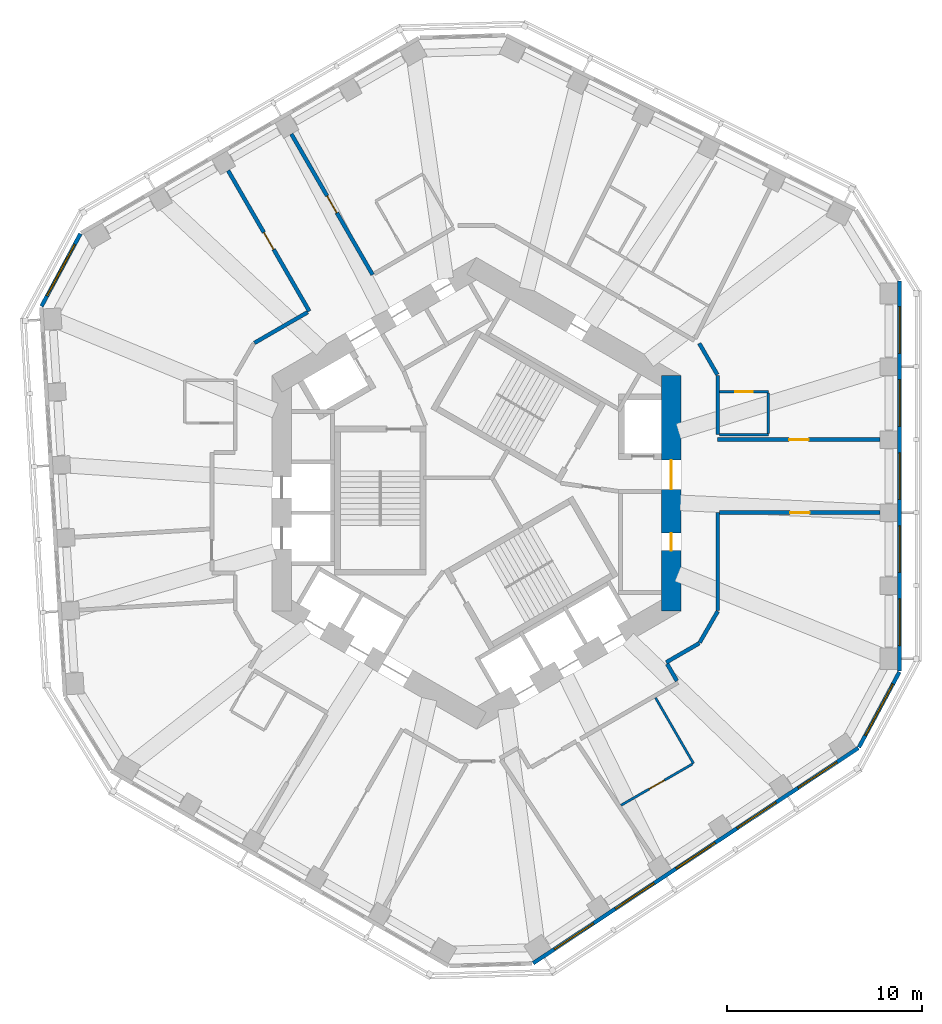
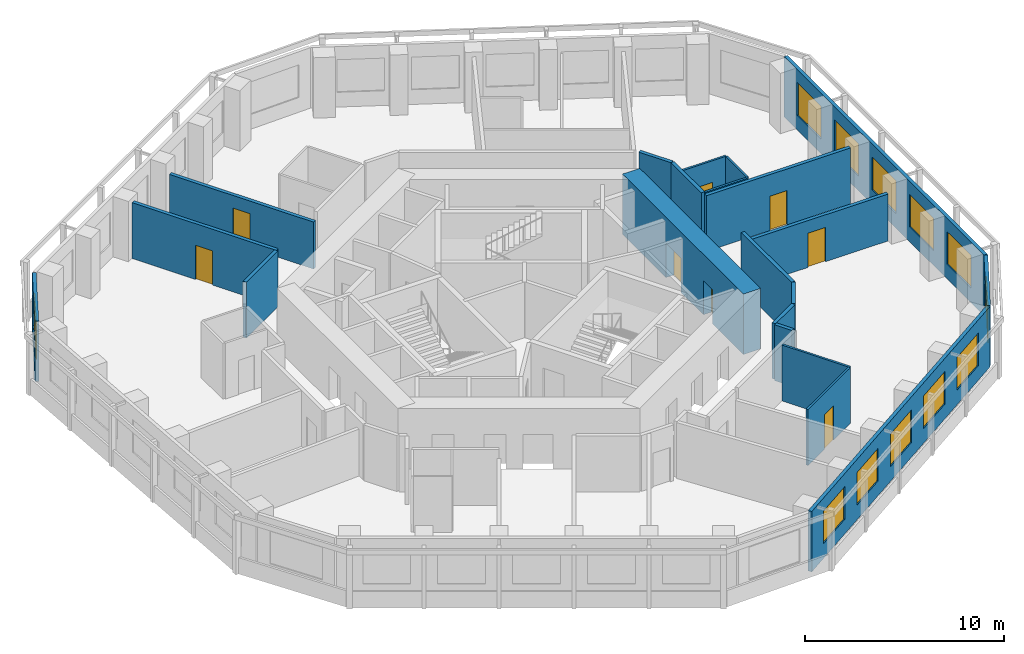
# One storey, part 6 of 11: 21 walls, 12 windows, 8 doors, 20 openings.
"""IFC4 building model written with IfcOpenShell, lengths in metres."""

from ifc_helpers import new_model, si_unit, direction, frame, frame_2d, origin, place, context, subcontext, project, spatial, rectangle, extrude, material, layer, layer_set, type_object, element, fill, save


model = new_model("IFC4")

# Units and contexts
model_context = context("Model", 3, precision=1e-05, world=origin(), true_north=direction((0.0, 1.0)))
body_context = subcontext(model_context, "Body", "Model", "MODEL_VIEW")
ifc_project = project(units=[si_unit("LENGTHUNIT", "METRE"), si_unit("AREAUNIT", "SQUARE_METRE"), si_unit("VOLUMEUNIT", "CUBIC_METRE"), si_unit("PLANEANGLEUNIT", "RADIAN"), si_unit("MASSUNIT", "GRAM", prefix="KILO")], contexts=[model_context])

# Site, building, storey
site_placement = place(None, origin())
site = spatial("IfcSite", under=ifc_project, at=site_placement, CompositionType="ELEMENT")
building_placement = place(site_placement, origin())
building = spatial("IfcBuilding", under=site, at=building_placement, Name="Vanh Sen Convention Tower", CompositionType="ELEMENT")
storey_placement = place(building_placement, frame((0.0, 0.0, 179.89990234375)))
storey = spatial("IfcBuildingStorey", under=building, at=storey_placement, Name="L44", CompositionType="ELEMENT", Elevation=179.89990234375)

# Wall
ifc_material_1 = material(Name="Moisture-resistant gypsum board on steel studs", Category="steel")
ifc_layer_1 = layer(ifc_material_1, 0.1201171875)
ifc_layer_set_1 = layer_set([ifc_layer_1], Name="Moisture-resistant gypsum board on steel studs")
wall_type_1 = type_object("IfcWallType", Name="Bathroom partition 120", PredefinedType="PARTITIONING", material=ifc_layer_set_1)
wall_1_placement = place(storey_placement, frame((9.201904296875, -10.5078125, 0.0), z_axis=(0.0, 0.0, 1.0), x_axis=(0.500043961785, -0.866000020948, 0.0)))
element("IfcWall", 1, at=wall_1_placement, inside=storey, type_object=wall_type_1, Name="Bathroom partition 120", PredefinedType="PARTITIONING", context=body_context, shape_type="SweptSolid", body=[
    extrude(rectangle(XDim=3.900146484375, YDim=0.1201171875, at=frame_2d((1.9501953125, 0.0))), origin(), (0.0, 0.0, 1.0), 3.420166015625),
])

# Wall, opening, door
wall_2_placement = place(storey_placement, frame((11.10009765625, -13.915283203125, 0.0), z_axis=(0.0, 0.0, 1.0), x_axis=(-0.866048475386, -0.499960036685, 0.0)))
wall_2 = element("IfcWall", 2, at=wall_2_placement, inside=storey, type_object=wall_type_1, Name="Bathroom partition 120", PredefinedType="PARTITIONING", context=body_context, shape_type="SweptSolid", body=[
    extrude(rectangle(XDim=4.239990234375, YDim=0.1201171875, at=frame_2d((2.1201171875, 0.0))), origin(), (0.0, 0.0, 1.0), 3.420166015625),
])
opening_1_placement = place(wall_2_placement, frame((1.669921875, 0.0, 0.0)))
opening_1 = element("IfcOpeningElement", 3, at=opening_1_placement, cuts=wall_2, Name="Opening D44118", PredefinedType="OPENING", context=body_context, shape_type="SweptSolid", body=[
    extrude(rectangle(XDim=0.89990234375, YDim=2.10009765625, at=frame_2d((0.449951171875, 1.050048828125))), frame((0.0, 0.070068359375, 0.0), z_axis=(0.0, -1.0, 0.0), x_axis=(1.0, 0.0, 0.0)), (0.0, 0.0, 1.0), 0.14013671875),
])
ifc_material_2 = material(Name="Laminate door in steel frame", Category="steel")
door_type_1 = type_object("IfcDoorType", Name="Room internal door 900", OperationType="SINGLE_SWING_LEFT", PredefinedType="DOOR", material=ifc_material_2)
door_1_placement = place(opening_1_placement, origin())
door_1 = element("IfcDoor", 4, at=door_1_placement, inside=storey, type_object=door_type_1, Name="Internal room door D44118", OperationType="SINGLE_SWING_LEFT", OverallHeight=2.10009765625, OverallWidth=0.89990234375, PredefinedType="DOOR", context=body_context, shape_type="SweptSolid", body=[
    extrude(rectangle(XDim=0.89990234375, YDim=2.10009765625, at=frame_2d((0.449951171875, 1.050048828125))), frame((0.0, 0.02490234375, 0.0), z_axis=(0.0, -1.0, 0.0), x_axis=(1.0, 0.0, 0.0)), (0.0, 0.0, 1.0), 0.050048828125),
])
fill(opening_1, door_1)

wall_3_placement = place(storey_placement, frame((12.5, 5.211181640625, 0.0), z_axis=(0.0, 0.0, 1.0), x_axis=(1.0, 0.0, 0.0)))
wall_3 = element("IfcWall", 5, at=wall_3_placement, inside=storey, type_object=wall_type_1, Name="Bathroom partition 120", PredefinedType="PARTITIONING", context=body_context, shape_type="SweptSolid", body=[
    extrude(rectangle(XDim=2.5, YDim=0.1201171875, at=frame_2d((1.25, 0.0))), origin(), (0.0, 0.0, 1.0), 3.420166015625),
])
opening_2_placement = place(wall_3_placement, frame((0.800048828125, 0.0, 0.0)))
opening_2 = element("IfcOpeningElement", 6, at=opening_2_placement, cuts=wall_3, Name="Opening D44102", PredefinedType="OPENING", context=body_context, shape_type="SweptSolid", body=[
    extrude(rectangle(XDim=0.89990234375, YDim=2.10009765625, at=frame_2d((0.449951171875, 1.050048828125))), frame((0.0, 0.070068359375, 0.0), z_axis=(0.0, -1.0, 0.0), x_axis=(1.0, 0.0, 0.0)), (0.0, 0.0, 1.0), 0.14013671875),
])
door_2_placement = place(opening_2_placement, origin())
door_2 = element("IfcDoor", 7, at=door_2_placement, inside=storey, type_object=door_type_1, Name="Internal room door D44102", OperationType="SINGLE_SWING_LEFT", OverallHeight=2.10009765625, OverallWidth=0.89990234375, PredefinedType="DOOR", context=body_context, shape_type="SweptSolid", body=[
    extrude(rectangle(XDim=0.89990234375, YDim=2.10009765625, at=frame_2d((0.449951171875, 1.050048828125))), frame((0.0, 0.02490234375, 0.0), z_axis=(0.0, -1.0, 0.0), x_axis=(1.0, 0.0, 0.0)), (0.0, 0.0, 1.0), 0.050048828125),
])
fill(opening_2, door_2)

# Walls
wall_4_placement = place(storey_placement, frame((15.0, 3.01123046875, 0.0), z_axis=(0.0, 0.0, 1.0), x_axis=(-1.0, 0.0, 0.0)))
element("IfcWall", 8, at=wall_4_placement, inside=storey, type_object=wall_type_1, Name="Bathroom partition 120", PredefinedType="PARTITIONING", context=body_context, shape_type="SweptSolid", body=[
    extrude(rectangle(XDim=2.5, YDim=0.1201171875, at=frame_2d((1.25, 0.0))), origin(), (0.0, 0.0, 1.0), 3.420166015625),
])
wall_5_placement = place(storey_placement, frame((15.0, 5.1513671875, 0.0), z_axis=(0.0, 0.0, 1.0), x_axis=(0.0, -1.0, 0.0)))
element("IfcWall", 9, at=wall_5_placement, inside=storey, type_object=wall_type_1, Name="Bathroom partition 120", PredefinedType="PARTITIONING", context=body_context, shape_type="SweptSolid", body=[
    extrude(rectangle(XDim=2.080078125, YDim=0.1201171875, at=frame_2d((1.0400390625, 0.0))), origin(), (0.0, 0.0, 1.0), 3.420166015625),
])

# Wall, openings, doors
ifc_material_3 = material(Name="Concrete C80/95", Category="concrete")
ifc_layer_2 = layer(ifc_material_3, 1.0)
ifc_layer_set_2 = layer_set([ifc_layer_2], Name="Concrete C80/95")
wall_type_2 = type_object("IfcWallType", Name="Core outer wall 1000 C80/95", PredefinedType="SHEAR", material=ifc_layer_set_2)
wall_6_placement = place(storey_placement, frame((10.0, -6.062255859375, 0.0), z_axis=(0.0, 0.0, 1.0), x_axis=(0.0, 1.0, 0.0)))
wall_6 = element("IfcWall", 10, at=wall_6_placement, inside=storey, type_object=wall_type_2, Name="Core wall face E L44", PredefinedType="SHEAR", context=body_context, shape_type="SweptSolid", body=[
    extrude(rectangle(XDim=12.12451171875, YDim=1.0, at=frame_2d((6.062255859375, 0.0))), origin(), (0.0, 0.0, 1.0), 3.7001953125),
])
opening_3_placement = place(wall_6_placement, frame((6.26220703125, 0.0, 0.0)))
opening_3 = element("IfcOpeningElement", 11, at=opening_3_placement, cuts=wall_6, Name="Opening D44001", PredefinedType="OPENING", context=body_context, shape_type="SweptSolid", body=[
    extrude(rectangle(XDim=1.5, YDim=2.10009765625, at=frame_2d((0.75, 1.050048828125))), frame((0.0, 0.510009765625, 0.0), z_axis=(0.0, -1.0, 0.0), x_axis=(1.0, 0.0, 0.0)), (0.0, 0.0, 1.0), 1.02001953125),
])
opening_4_placement = place(wall_6_placement, frame((3.1123046875, 0.0, 0.0)))
opening_4 = element("IfcOpeningElement", 12, at=opening_4_placement, cuts=wall_6, Name="Opening D44010", PredefinedType="OPENING", context=body_context, shape_type="SweptSolid", body=[
    extrude(rectangle(XDim=0.89990234375, YDim=2.10009765625, at=frame_2d((0.449951171875, 1.050048828125))), frame((0.0, 0.510009765625, 0.0), z_axis=(0.0, -1.0, 0.0), x_axis=(1.0, 0.0, 0.0)), (0.0, 0.0, 1.0), 1.02001953125),
])
ifc_material_4 = material(Name="Steel S355", Category="steel")
door_type_2 = type_object("IfcDoorType", Name="Plant door 900", OperationType="SINGLE_SWING_LEFT", PredefinedType="DOOR", material=ifc_material_4)
door_3_placement = place(opening_4_placement, origin())
door_3 = element("IfcDoor", 13, at=door_3_placement, inside=storey, type_object=door_type_2, Name="Plant door D44010", OperationType="SINGLE_SWING_LEFT", OverallHeight=2.10009765625, OverallWidth=0.89990234375, PredefinedType="DOOR", context=body_context, shape_type="SweptSolid", body=[
    extrude(rectangle(XDim=0.89990234375, YDim=2.10009765625, at=frame_2d((0.449951171875, 1.050048828125))), frame((0.0, 0.02490234375, 0.0), z_axis=(0.0, -1.0, 0.0), x_axis=(1.0, 0.0, 0.0)), (0.0, 0.0, 1.0), 0.050048828125),
])
fill(opening_4, door_3)
door_type_3 = type_object("IfcDoorType", Name="Stair lobby door 1500", OperationType="DOUBLE_DOOR_SINGLE_SWING", PredefinedType="DOOR", material=ifc_material_4)
door_4_placement = place(opening_3_placement, origin())
door_4 = element("IfcDoor", 14, at=door_4_placement, inside=storey, type_object=door_type_3, Name="Stair lobby door D44001", OperationType="DOUBLE_DOOR_SINGLE_SWING", OverallHeight=2.10009765625, OverallWidth=1.5, PredefinedType="DOOR", context=body_context, shape_type="SweptSolid", body=[
    extrude(rectangle(XDim=1.5, YDim=2.10009765625, at=frame_2d((0.75, 1.050048828125))), frame((0.0, 0.02490234375, 0.0), z_axis=(0.0, -1.0, 0.0), x_axis=(1.0, 0.0, 0.0)), (0.0, 0.0, 1.0), 0.050048828125),
])
fill(opening_3, door_4)

# Wall, opening, door
ifc_material_5 = material(Name="Gypsum board on steel studs with mineral wool", Category="steel")
ifc_layer_3 = layer(ifc_material_5, 0.199951171875)
ifc_layer_set_3 = layer_set([ifc_layer_3], Name="Gypsum board on steel studs with mineral wool")
wall_type_3 = type_object("IfcWallType", Name="Corridor partition wall 200", PredefinedType="PARTITIONING", material=ifc_layer_set_3)
wall_7_placement = place(storey_placement, frame((-12.766357421875, 16.58935546875, 0.0), z_axis=(0.0, 0.0, 1.0), x_axis=(0.500010139422, -0.866019549707, 0.0)))
wall_7 = element("IfcWall", 15, at=wall_7_placement, inside=storey, type_object=wall_type_3, Name="Corridor partition wall 200", PredefinedType="PARTITIONING", context=body_context, shape_type="SweptSolid", body=[
    extrude(rectangle(XDim=8.349853515625, YDim=0.199951171875, at=frame_2d((4.1748046875, 0.0))), origin(), (0.0, 0.0, 1.0), 3.420166015625),
])
opening_5_placement = place(wall_7_placement, frame((3.675048828125, 0.0, 0.0)))
opening_5 = element("IfcOpeningElement", 16, at=opening_5_placement, cuts=wall_7, Name="Opening D44109", PredefinedType="OPENING", context=body_context, shape_type="SweptSolid", body=[
    extrude(rectangle(XDim=1.0, YDim=2.10009765625, at=frame_2d((0.5, 1.050048828125))), frame((0.0, 0.10986328125, 0.0), z_axis=(0.0, -1.0, 0.0), x_axis=(1.0, 0.0, 0.0)), (0.0, 0.0, 1.0), 0.219970703125),
])
ifc_material_6 = material(Name="Glazed fire door in steel frame", Category="steel")
door_type_4 = type_object("IfcDoorType", Name="Tenant entrance door 1000", OperationType="SINGLE_SWING_LEFT", PredefinedType="DOOR", material=ifc_material_6)
door_5_placement = place(opening_5_placement, origin())
door_5 = element("IfcDoor", 17, at=door_5_placement, inside=storey, type_object=door_type_4, Name="Tenant suite entrance door D44109", OperationType="SINGLE_SWING_LEFT", OverallHeight=2.10009765625, OverallWidth=1.0, PredefinedType="DOOR", context=body_context, shape_type="SweptSolid", body=[
    extrude(rectangle(XDim=1.0, YDim=2.10009765625, at=frame_2d((0.5, 1.050048828125))), frame((0.0, 0.02490234375, 0.0), z_axis=(0.0, -1.0, 0.0), x_axis=(1.0, 0.0, 0.0)), (0.0, 0.0, 1.0), 0.050048828125),
])
fill(opening_5, door_5)

wall_8_placement = place(storey_placement, frame((-9.51513671875, 18.46630859375, 0.0), z_axis=(0.0, 0.0, 1.0), x_axis=(0.500010139422, -0.866019549707, 0.0)))
wall_8 = element("IfcWall", 18, at=wall_8_placement, inside=storey, type_object=wall_type_3, Name="Corridor partition wall 200", PredefinedType="PARTITIONING", context=body_context, shape_type="SweptSolid", body=[
    extrude(rectangle(XDim=8.349853515625, YDim=0.199951171875, at=frame_2d((4.1748046875, 0.0))), origin(), (0.0, 0.0, 1.0), 2.8701171875),
])
opening_6_placement = place(wall_8_placement, frame((3.675048828125, 0.0, 0.0)))
opening_6 = element("IfcOpeningElement", 19, at=opening_6_placement, cuts=wall_8, Name="Opening D44107", PredefinedType="OPENING", context=body_context, shape_type="SweptSolid", body=[
    extrude(rectangle(XDim=1.0, YDim=2.10009765625, at=frame_2d((0.5, 1.050048828125))), frame((0.0, 0.10986328125, 0.0), z_axis=(0.0, -1.0, 0.0), x_axis=(1.0, 0.0, 0.0)), (0.0, 0.0, 1.0), 0.219970703125),
])
door_6_placement = place(opening_6_placement, origin())
door_6 = element("IfcDoor", 20, at=door_6_placement, inside=storey, type_object=door_type_4, Name="Tenant suite entrance door D44107", OperationType="SINGLE_SWING_LEFT", OverallHeight=2.10009765625, OverallWidth=1.0, PredefinedType="DOOR", context=body_context, shape_type="SweptSolid", body=[
    extrude(rectangle(XDim=1.0, YDim=2.10009765625, at=frame_2d((0.5, 1.050048828125))), frame((0.0, 0.02490234375, 0.0), z_axis=(0.0, -1.0, 0.0), x_axis=(1.0, 0.0, 0.0)), (0.0, 0.0, 1.0), 0.050048828125),
])
fill(opening_6, door_6)

# Walls
wall_9_placement = place(storey_placement, frame((-8.677978515625, 9.30810546875, 0.0), z_axis=(0.0, 0.0, 1.0), x_axis=(-0.866000359435, -0.500043375578, 0.0)))
element("IfcWall", 21, at=wall_9_placement, inside=storey, type_object=wall_type_3, Name="Corridor partition wall 200", PredefinedType="PARTITIONING", context=body_context, shape_type="SweptSolid", body=[
    extrude(rectangle(XDim=3.160888671875, YDim=0.199951171875, at=frame_2d((1.58056640625, 0.0))), origin(), (0.0, 0.0, 1.0), 3.420166015625),
])
wall_10_placement = place(storey_placement, frame((9.751708984375, -8.688232421875, 0.0), z_axis=(0.0, 0.0, 1.0), x_axis=(0.865974105138, 0.500088841337, 0.0)))
element("IfcWall", 22, at=wall_10_placement, inside=storey, type_object=wall_type_3, Name="Corridor partition wall 200", PredefinedType="PARTITIONING", context=body_context, shape_type="SweptSolid", body=[
    extrude(rectangle(XDim=1.961181640625, YDim=0.199951171875, at=frame_2d((0.98046875, 0.0))), origin(), (0.0, 0.0, 1.0), 3.420166015625),
])
wall_11_placement = place(storey_placement, frame((10.302001953125, -9.6416015625, 0.0), z_axis=(0.0, 0.0, 1.0), x_axis=(-0.500074377092, 0.865982457891, 0.0)))
element("IfcWall", 23, at=wall_11_placement, inside=storey, type_object=wall_type_3, Name="Corridor partition wall 200", PredefinedType="PARTITIONING", context=body_context, shape_type="SweptSolid", body=[
    extrude(rectangle(XDim=1.000732421875, YDim=0.199951171875, at=frame_2d((0.50048828125, 0.0))), origin(), (0.0, 0.0, 1.0), 3.420166015625),
])
for number, where, z_axis, x_axis, name in (
    (24, (11.469970703125, -7.673095703125, 0.0), (0.0, 0.0, 1.0), (0.499964847546, 0.866045698112, 0.0), "Corridor partition wall 200"),
    (25, (12.3798828125, 6.0966796875, 0.0), (0.0, 0.0, 1.0), (-0.499964847546, 0.866045698112, 0.0), "Corridor partition wall 200"),
):
    element("IfcWall", number, at=place(storey_placement, frame(where, z_axis=z_axis, x_axis=x_axis)), inside=storey, type_object=wall_type_3, Name=name, PredefinedType="PARTITIONING", context=body_context, shape_type="SweptSolid", body=[
        extrude(rectangle(XDim=1.860107421875, YDim=0.199951171875, at=frame_2d((0.93017578125, 0.0))), origin(), (0.0, 0.0, 1.0), 3.420166015625),
    ])
wall_12_placement = place(storey_placement, frame((12.39990234375, -6.022216796875, 0.0), z_axis=(0.0, 0.0, 1.0), x_axis=(0.0, 1.0, 0.0)))
element("IfcWall", 26, at=wall_12_placement, inside=storey, type_object=wall_type_3, Name="Corridor partition wall 200", PredefinedType="PARTITIONING", context=body_context, shape_type="SweptSolid", body=[
    extrude(rectangle(XDim=5.029296875, YDim=0.199951171875, at=frame_2d((2.5146484375, 0.0))), origin(), (0.0, 0.0, 1.0), 3.420166015625),
])
wall_13_placement = place(storey_placement, frame((12.39990234375, 3.01123046875, 0.0), z_axis=(0.0, 0.0, 1.0), x_axis=(0.0, 1.0, 0.0)))
element("IfcWall", 27, at=wall_13_placement, inside=storey, type_object=wall_type_3, Name="Corridor partition wall 200", PredefinedType="PARTITIONING", context=body_context, shape_type="SweptSolid", body=[
    extrude(rectangle(XDim=3.051025390625, YDim=0.199951171875, at=frame_2d((1.525390625, 0.0))), origin(), (0.0, 0.0, 1.0), 3.420166015625),
])

# Wall, opening, door
wall_14_placement = place(storey_placement, frame((12.5, -0.992919921875, 0.0), z_axis=(0.0, 0.0, 1.0), x_axis=(1.0, 0.0, 0.0)))
wall_14 = element("IfcWall", 28, at=wall_14_placement, inside=storey, type_object=wall_type_3, Name="Corridor partition wall 200", PredefinedType="PARTITIONING", context=body_context, shape_type="SweptSolid", body=[
    extrude(rectangle(XDim=8.25, YDim=0.199951171875, at=frame_2d((4.125, 0.0))), origin(), (0.0, 0.0, 1.0), 2.8701171875),
])
opening_7_placement = place(wall_14_placement, frame((3.625, 0.0, 0.0)))
opening_7 = element("IfcOpeningElement", 29, at=opening_7_placement, cuts=wall_14, Name="Opening D44117", PredefinedType="OPENING", context=body_context, shape_type="SweptSolid", body=[
    extrude(rectangle(XDim=1.0, YDim=2.10009765625, at=frame_2d((0.5, 1.050048828125))), frame((0.0, 0.10986328125, 0.0), z_axis=(0.0, -1.0, 0.0), x_axis=(1.0, 0.0, 0.0)), (0.0, 0.0, 1.0), 0.219970703125),
])
door_7_placement = place(opening_7_placement, origin())
door_7 = element("IfcDoor", 30, at=door_7_placement, inside=storey, type_object=door_type_4, Name="Tenant suite entrance door D44117", OperationType="SINGLE_SWING_LEFT", OverallHeight=2.10009765625, OverallWidth=1.0, PredefinedType="DOOR", context=body_context, shape_type="SweptSolid", body=[
    extrude(rectangle(XDim=1.0, YDim=2.10009765625, at=frame_2d((0.5, 1.050048828125))), frame((0.0, 0.02490234375, 0.0), z_axis=(0.0, -1.0, 0.0), x_axis=(1.0, 0.0, 0.0)), (0.0, 0.0, 1.0), 0.050048828125),
])
fill(opening_7, door_7)

wall_15_placement = place(storey_placement, frame((20.75, 2.76123046875, 0.0), z_axis=(0.0, 0.0, 1.0), x_axis=(-1.0, 0.0, 0.0)))
wall_15 = element("IfcWall", 31, at=wall_15_placement, inside=storey, type_object=wall_type_3, Name="Corridor partition wall 200", PredefinedType="PARTITIONING", context=body_context, shape_type="SweptSolid", body=[
    extrude(rectangle(XDim=8.35009765625, YDim=0.199951171875, at=frame_2d((4.175048828125, 0.0))), origin(), (0.0, 0.0, 1.0), 3.420166015625),
])
opening_8_placement = place(wall_15_placement, frame((3.675048828125, 0.0, 0.0)))
opening_8 = element("IfcOpeningElement", 32, at=opening_8_placement, cuts=wall_15, Name="Opening D44101", PredefinedType="OPENING", context=body_context, shape_type="SweptSolid", body=[
    extrude(rectangle(XDim=1.0, YDim=2.10009765625, at=frame_2d((0.5, 1.050048828125))), frame((0.0, 0.10986328125, 0.0), z_axis=(0.0, -1.0, 0.0), x_axis=(1.0, 0.0, 0.0)), (0.0, 0.0, 1.0), 0.219970703125),
])
door_8_placement = place(opening_8_placement, origin())
door_8 = element("IfcDoor", 33, at=door_8_placement, inside=storey, type_object=door_type_4, Name="Tenant suite entrance door D44101", OperationType="SINGLE_SWING_LEFT", OverallHeight=2.10009765625, OverallWidth=1.0, PredefinedType="DOOR", context=body_context, shape_type="SweptSolid", body=[
    extrude(rectangle(XDim=1.0, YDim=2.10009765625, at=frame_2d((0.5, 1.050048828125))), frame((0.0, 0.02490234375, 0.0), z_axis=(0.0, -1.0, 0.0), x_axis=(1.0, 0.0, 0.0)), (0.0, 0.0, 1.0), 0.050048828125),
])
fill(opening_8, door_8)

# Wall, openings, windows
ifc_material_7 = material(Name="Insulated lightweight infill wall")
ifc_layer_4 = layer(ifc_material_7, 0.199951171875)
ifc_layer_set_4 = layer_set([ifc_layer_4], Name="Insulated lightweight infill wall")
wall_type_4 = type_object("IfcWallType", Name="External wall 200", PredefinedType="STANDARD", material=ifc_layer_set_4)
wall_16_placement = place(storey_placement, frame((21.75, -9.138427734375, 0.0), z_axis=(0.0, 0.0, 1.0), x_axis=(0.0, 1.0, 0.0)))
wall_16 = element("IfcWall", 34, at=wall_16_placement, inside=storey, type_object=wall_type_4, Name="External wall E L44", PredefinedType="STANDARD", context=body_context, shape_type="SweptSolid", body=[
    extrude(rectangle(XDim=20.043701171875, YDim=0.199951171875, at=frame_2d((10.02197265625, 0.0))), origin(), (0.0, 0.0, 1.0), 3.7001953125),
])
opening_9_placement = place(wall_16_placement, frame((1.314453125, 0.0, 0.89990234375)))
opening_9 = element("IfcOpeningElement", 35, at=opening_9_placement, cuts=wall_16, Name="Opening WO1-E1", PredefinedType="OPENING", context=body_context, shape_type="SweptSolid", body=[
    extrude(rectangle(XDim=2.39990234375, YDim=2.0, at=frame_2d((1.199951171875, 1.0))), frame((0.0, 0.10986328125, 0.0), z_axis=(0.0, -1.0, 0.0), x_axis=(1.0, 0.0, 0.0)), (0.0, 0.0, 1.0), 0.219970703125),
])
opening_10_placement = place(wall_16_placement, frame((5.068603515625, 0.0, 0.89990234375)))
opening_10 = element("IfcOpeningElement", 36, at=opening_10_placement, cuts=wall_16, Name="Opening WO1-E2", PredefinedType="OPENING", context=body_context, shape_type="SweptSolid", body=[
    extrude(rectangle(XDim=2.39990234375, YDim=2.0, at=frame_2d((1.199951171875, 1.0))), frame((0.0, 0.10986328125, 0.0), z_axis=(0.0, -1.0, 0.0), x_axis=(1.0, 0.0, 0.0)), (0.0, 0.0, 1.0), 0.219970703125),
])
opening_11_placement = place(wall_16_placement, frame((8.82275390625, 0.0, 0.89990234375)))
opening_11 = element("IfcOpeningElement", 37, at=opening_11_placement, cuts=wall_16, Name="Opening WO1-E3", PredefinedType="OPENING", context=body_context, shape_type="SweptSolid", body=[
    extrude(rectangle(XDim=2.39990234375, YDim=2.0, at=frame_2d((1.199951171875, 1.0))), frame((0.0, 0.10986328125, 0.0), z_axis=(0.0, -1.0, 0.0), x_axis=(1.0, 0.0, 0.0)), (0.0, 0.0, 1.0), 0.219970703125),
])
opening_12_placement = place(wall_16_placement, frame((12.576904296875, 0.0, 0.89990234375)))
opening_12 = element("IfcOpeningElement", 38, at=opening_12_placement, cuts=wall_16, Name="Opening WO1-E4", PredefinedType="OPENING", context=body_context, shape_type="SweptSolid", body=[
    extrude(rectangle(XDim=2.39990234375, YDim=2.0, at=frame_2d((1.199951171875, 1.0))), frame((0.0, 0.10986328125, 0.0), z_axis=(0.0, -1.0, 0.0), x_axis=(1.0, 0.0, 0.0)), (0.0, 0.0, 1.0), 0.219970703125),
])
opening_13_placement = place(wall_16_placement, frame((16.330810546875, 0.0, 0.89990234375)))
opening_13 = element("IfcOpeningElement", 39, at=opening_13_placement, cuts=wall_16, Name="Opening WO1-E5", PredefinedType="OPENING", context=body_context, shape_type="SweptSolid", body=[
    extrude(rectangle(XDim=2.39990234375, YDim=2.0, at=frame_2d((1.199951171875, 1.0))), frame((0.0, 0.10986328125, 0.0), z_axis=(0.0, -1.0, 0.0), x_axis=(1.0, 0.0, 0.0)), (0.0, 0.0, 1.0), 0.219970703125),
])
ifc_material_8 = material(Name="Aluminium frame with clear low-emissivity glass", Category="aluminium")
window_type_1 = type_object("IfcWindowType", Name="Office window 2400 x 2000", PartitioningType="SINGLE_PANEL", PredefinedType="WINDOW", material=ifc_material_8)
window_1_placement = place(opening_9_placement, origin())
window_1 = element("IfcWindow", 40, at=window_1_placement, inside=storey, type_object=window_type_1, Name="Window WO1-E1", OverallHeight=2.0, OverallWidth=2.39990234375, PartitioningType="SINGLE_PANEL", PredefinedType="WINDOW", context=body_context, shape_type="SweptSolid", body=[
    extrude(rectangle(XDim=2.39990234375, YDim=2.0, at=frame_2d((1.199951171875, 1.0))), frame((0.0, 0.030029296875, 0.0), z_axis=(0.0, -1.0, 0.0), x_axis=(1.0, 0.0, 0.0)), (0.0, 0.0, 1.0), 0.06005859375),
])
fill(opening_9, window_1)
window_2_placement = place(opening_10_placement, origin())
window_2 = element("IfcWindow", 41, at=window_2_placement, inside=storey, type_object=window_type_1, Name="Window WO1-E2", OverallHeight=2.0, OverallWidth=2.39990234375, PartitioningType="SINGLE_PANEL", PredefinedType="WINDOW", context=body_context, shape_type="SweptSolid", body=[
    extrude(rectangle(XDim=2.39990234375, YDim=2.0, at=frame_2d((1.199951171875, 1.0))), frame((0.0, 0.030029296875, 0.0), z_axis=(0.0, -1.0, 0.0), x_axis=(1.0, 0.0, 0.0)), (0.0, 0.0, 1.0), 0.06005859375),
])
fill(opening_10, window_2)
window_3_placement = place(opening_11_placement, origin())
window_3 = element("IfcWindow", 42, at=window_3_placement, inside=storey, type_object=window_type_1, Name="Window WO1-E3", OverallHeight=2.0, OverallWidth=2.39990234375, PartitioningType="SINGLE_PANEL", PredefinedType="WINDOW", context=body_context, shape_type="SweptSolid", body=[
    extrude(rectangle(XDim=2.39990234375, YDim=2.0, at=frame_2d((1.199951171875, 1.0))), frame((0.0, 0.030029296875, 0.0), z_axis=(0.0, -1.0, 0.0), x_axis=(1.0, 0.0, 0.0)), (0.0, 0.0, 1.0), 0.06005859375),
])
fill(opening_11, window_3)
window_4_placement = place(opening_12_placement, origin())
window_4 = element("IfcWindow", 43, at=window_4_placement, inside=storey, type_object=window_type_1, Name="Window WO1-E4", OverallHeight=2.0, OverallWidth=2.39990234375, PartitioningType="SINGLE_PANEL", PredefinedType="WINDOW", context=body_context, shape_type="SweptSolid", body=[
    extrude(rectangle(XDim=2.39990234375, YDim=2.0, at=frame_2d((1.199951171875, 1.0))), frame((0.0, 0.030029296875, 0.0), z_axis=(0.0, -1.0, 0.0), x_axis=(1.0, 0.0, 0.0)), (0.0, 0.0, 1.0), 0.06005859375),
])
fill(opening_12, window_4)
window_5_placement = place(opening_13_placement, origin())
window_5 = element("IfcWindow", 44, at=window_5_placement, inside=storey, type_object=window_type_1, Name="Window WO1-E5", OverallHeight=2.0, OverallWidth=2.39990234375, PartitioningType="SINGLE_PANEL", PredefinedType="WINDOW", context=body_context, shape_type="SweptSolid", body=[
    extrude(rectangle(XDim=2.39990234375, YDim=2.0, at=frame_2d((1.199951171875, 1.0))), frame((0.0, 0.030029296875, 0.0), z_axis=(0.0, -1.0, 0.0), x_axis=(1.0, 0.0, 0.0)), (0.0, 0.0, 1.0), 0.06005859375),
])
fill(opening_13, window_5)

# Wall, opening, window
wall_17_placement = place(storey_placement, frame((-20.357421875, 13.343994140625, 0.0), z_axis=(0.0, 0.0, 1.0), x_axis=(-0.473288913494, -0.880907262068, 0.0)))
wall_17 = element("IfcWall", 45, at=wall_17_placement, inside=storey, type_object=wall_type_4, Name="External wall CH3 L44", PredefinedType="STANDARD", context=body_context, shape_type="SweptSolid", body=[
    extrude(rectangle(XDim=4.238037109375, YDim=0.199951171875, at=frame_2d((2.119140625, 0.0))), origin(), (0.0, 0.0, 1.0), 3.7001953125),
])
opening_14_placement = place(wall_17_placement, frame((0.619140625, 0.0, 0.89990234375)))
opening_14 = element("IfcOpeningElement", 46, at=opening_14_placement, cuts=wall_17, Name="Opening WO2-CH31", PredefinedType="OPENING", context=body_context, shape_type="SweptSolid", body=[
    extrude(rectangle(XDim=3.0, YDim=2.0, at=frame_2d((1.5, 1.0))), frame((0.0, 0.10986328125, 0.0), z_axis=(0.0, -1.0, 0.0), x_axis=(1.0, 0.0, 0.0)), (0.0, 0.0, 1.0), 0.219970703125),
])
window_type_2 = type_object("IfcWindowType", Name="Office window 3000 x 2000", PartitioningType="SINGLE_PANEL", PredefinedType="WINDOW", material=ifc_material_8)
window_6_placement = place(opening_14_placement, origin())
window_6 = element("IfcWindow", 47, at=window_6_placement, inside=storey, type_object=window_type_2, Name="Window WO2-CH31", OverallHeight=2.0, OverallWidth=3.0, PartitioningType="SINGLE_PANEL", PredefinedType="WINDOW", context=body_context, shape_type="SweptSolid", body=[
    extrude(rectangle(XDim=3.0, YDim=2.0, at=frame_2d((1.5, 1.0))), frame((0.0, 0.030029296875, 0.0), z_axis=(0.0, -1.0, 0.0), x_axis=(1.0, 0.0, 0.0)), (0.0, 0.0, 1.0), 0.06005859375),
])
fill(opening_14, window_6)

# Wall, openings, windows
wall_18_placement = place(storey_placement, frame((2.910888671875, -24.156005859375, 0.0), z_axis=(0.0, 0.0, 1.0), x_axis=(0.833882163564, 0.551942512668, 0.0)))
wall_18 = element("IfcWall", 48, at=wall_18_placement, inside=storey, type_object=wall_type_4, Name="External wall SE L44", PredefinedType="STANDARD", context=body_context, shape_type="SweptSolid", body=[
    extrude(rectangle(XDim=20.043701171875, YDim=0.199951171875, at=frame_2d((10.02197265625, 0.0))), origin(), (0.0, 0.0, 1.0), 3.7001953125),
])
opening_15_placement = place(wall_18_placement, frame((1.312744140625, 0.0, 0.89990234375)))
opening_15 = element("IfcOpeningElement", 49, at=opening_15_placement, cuts=wall_18, Name="Opening WO1-SE1", PredefinedType="OPENING", context=body_context, shape_type="SweptSolid", body=[
    extrude(rectangle(XDim=2.39990234375, YDim=2.0, at=frame_2d((1.199951171875, 1.0))), frame((0.0, 0.10986328125, 0.0), z_axis=(0.0, -1.0, 0.0), x_axis=(1.0, 0.0, 0.0)), (0.0, 0.0, 1.0), 0.219970703125),
])
opening_16_placement = place(wall_18_placement, frame((5.06689453125, 0.0, 0.89990234375)))
opening_16 = element("IfcOpeningElement", 50, at=opening_16_placement, cuts=wall_18, Name="Opening WO1-SE2", PredefinedType="OPENING", context=body_context, shape_type="SweptSolid", body=[
    extrude(rectangle(XDim=2.39990234375, YDim=2.0, at=frame_2d((1.199951171875, 1.0))), frame((0.0, 0.10986328125, 0.0), z_axis=(0.0, -1.0, 0.0), x_axis=(1.0, 0.0, 0.0)), (0.0, 0.0, 1.0), 0.219970703125),
])
opening_17_placement = place(wall_18_placement, frame((8.82080078125, 0.0, 0.89990234375)))
opening_17 = element("IfcOpeningElement", 51, at=opening_17_placement, cuts=wall_18, Name="Opening WO1-SE3", PredefinedType="OPENING", context=body_context, shape_type="SweptSolid", body=[
    extrude(rectangle(XDim=2.39990234375, YDim=2.0, at=frame_2d((1.199951171875, 1.0))), frame((0.0, 0.10986328125, 0.0), z_axis=(0.0, -1.0, 0.0), x_axis=(1.0, 0.0, 0.0)), (0.0, 0.0, 1.0), 0.219970703125),
])
opening_18_placement = place(wall_18_placement, frame((12.5751953125, 0.0, 0.89990234375)))
opening_18 = element("IfcOpeningElement", 52, at=opening_18_placement, cuts=wall_18, Name="Opening WO1-SE4", PredefinedType="OPENING", context=body_context, shape_type="SweptSolid", body=[
    extrude(rectangle(XDim=2.39990234375, YDim=2.0, at=frame_2d((1.199951171875, 1.0))), frame((0.0, 0.10986328125, 0.0), z_axis=(0.0, -1.0, 0.0), x_axis=(1.0, 0.0, 0.0)), (0.0, 0.0, 1.0), 0.219970703125),
])
opening_19_placement = place(wall_18_placement, frame((16.3291015625, 0.0, 0.89990234375)))
opening_19 = element("IfcOpeningElement", 53, at=opening_19_placement, cuts=wall_18, Name="Opening WO1-SE5", PredefinedType="OPENING", context=body_context, shape_type="SweptSolid", body=[
    extrude(rectangle(XDim=2.39990234375, YDim=2.0, at=frame_2d((1.199951171875, 1.0))), frame((0.0, 0.10986328125, 0.0), z_axis=(0.0, -1.0, 0.0), x_axis=(1.0, 0.0, 0.0)), (0.0, 0.0, 1.0), 0.219970703125),
])
window_7_placement = place(opening_15_placement, origin())
window_7 = element("IfcWindow", 54, at=window_7_placement, inside=storey, type_object=window_type_1, Name="Window WO1-SE1", OverallHeight=2.0, OverallWidth=2.39990234375, PartitioningType="SINGLE_PANEL", PredefinedType="WINDOW", context=body_context, shape_type="SweptSolid", body=[
    extrude(rectangle(XDim=2.39990234375, YDim=2.0, at=frame_2d((1.199951171875, 1.0))), frame((0.0, 0.030029296875, 0.0), z_axis=(0.0, -1.0, 0.0), x_axis=(1.0, 0.0, 0.0)), (0.0, 0.0, 1.0), 0.06005859375),
])
fill(opening_15, window_7)
window_8_placement = place(opening_16_placement, origin())
window_8 = element("IfcWindow", 55, at=window_8_placement, inside=storey, type_object=window_type_1, Name="Window WO1-SE2", OverallHeight=2.0, OverallWidth=2.39990234375, PartitioningType="SINGLE_PANEL", PredefinedType="WINDOW", context=body_context, shape_type="SweptSolid", body=[
    extrude(rectangle(XDim=2.39990234375, YDim=2.0, at=frame_2d((1.199951171875, 1.0))), frame((0.0, 0.030029296875, 0.0), z_axis=(0.0, -1.0, 0.0), x_axis=(1.0, 0.0, 0.0)), (0.0, 0.0, 1.0), 0.06005859375),
])
fill(opening_16, window_8)
window_9_placement = place(opening_17_placement, origin())
window_9 = element("IfcWindow", 56, at=window_9_placement, inside=storey, type_object=window_type_1, Name="Window WO1-SE3", OverallHeight=2.0, OverallWidth=2.39990234375, PartitioningType="SINGLE_PANEL", PredefinedType="WINDOW", context=body_context, shape_type="SweptSolid", body=[
    extrude(rectangle(XDim=2.39990234375, YDim=2.0, at=frame_2d((1.199951171875, 1.0))), frame((0.0, 0.030029296875, 0.0), z_axis=(0.0, -1.0, 0.0), x_axis=(1.0, 0.0, 0.0)), (0.0, 0.0, 1.0), 0.06005859375),
])
fill(opening_17, window_9)
window_10_placement = place(opening_18_placement, origin())
window_10 = element("IfcWindow", 57, at=window_10_placement, inside=storey, type_object=window_type_1, Name="Window WO1-SE4", OverallHeight=2.0, OverallWidth=2.39990234375, PartitioningType="SINGLE_PANEL", PredefinedType="WINDOW", context=body_context, shape_type="SweptSolid", body=[
    extrude(rectangle(XDim=2.39990234375, YDim=2.0, at=frame_2d((1.199951171875, 1.0))), frame((0.0, 0.030029296875, 0.0), z_axis=(0.0, -1.0, 0.0), x_axis=(1.0, 0.0, 0.0)), (0.0, 0.0, 1.0), 0.06005859375),
])
fill(opening_18, window_10)
window_11_placement = place(opening_19_placement, origin())
window_11 = element("IfcWindow", 58, at=window_11_placement, inside=storey, type_object=window_type_1, Name="Window WO1-SE5", OverallHeight=2.0, OverallWidth=2.39990234375, PartitioningType="SINGLE_PANEL", PredefinedType="WINDOW", context=body_context, shape_type="SweptSolid", body=[
    extrude(rectangle(XDim=2.39990234375, YDim=2.0, at=frame_2d((1.199951171875, 1.0))), frame((0.0, 0.030029296875, 0.0), z_axis=(0.0, -1.0, 0.0), x_axis=(1.0, 0.0, 0.0)), (0.0, 0.0, 1.0), 0.06005859375),
])
fill(opening_19, window_11)

# Wall, opening, window
wall_19_placement = place(storey_placement, frame((19.657958984375, -13.05712890625, 0.0), z_axis=(0.0, 0.0, 1.0), x_axis=(0.473307879841, 0.880897071672, 0.0)))
wall_19 = element("IfcWall", 59, at=wall_19_placement, inside=storey, type_object=wall_type_4, Name="External wall CH6 L44", PredefinedType="STANDARD", context=body_context, shape_type="SweptSolid", body=[
    extrude(rectangle(XDim=4.394775390625, YDim=0.199951171875, at=frame_2d((2.197265625, 0.0))), origin(), (0.0, 0.0, 1.0), 3.7001953125),
])
opening_20_placement = place(wall_19_placement, frame((0.697509765625, 0.0, 0.89990234375)))
opening_20 = element("IfcOpeningElement", 60, at=opening_20_placement, cuts=wall_19, Name="Opening WO2-CH61", PredefinedType="OPENING", context=body_context, shape_type="SweptSolid", body=[
    extrude(rectangle(XDim=3.0, YDim=2.0, at=frame_2d((1.5, 1.0))), frame((0.0, 0.10986328125, 0.0), z_axis=(0.0, -1.0, 0.0), x_axis=(1.0, 0.0, 0.0)), (0.0, 0.0, 1.0), 0.219970703125),
])
window_12_placement = place(opening_20_placement, origin())
window_12 = element("IfcWindow", 61, at=window_12_placement, inside=storey, type_object=window_type_2, Name="Window WO2-CH61", OverallHeight=2.0, OverallWidth=3.0, PartitioningType="SINGLE_PANEL", PredefinedType="WINDOW", context=body_context, shape_type="SweptSolid", body=[
    extrude(rectangle(XDim=3.0, YDim=2.0, at=frame_2d((1.5, 1.0))), frame((0.0, 0.030029296875, 0.0), z_axis=(0.0, -1.0, 0.0), x_axis=(1.0, 0.0, 0.0)), (0.0, 0.0, 1.0), 0.06005859375),
])
fill(opening_20, window_12)

save(model, "model.ifc")
